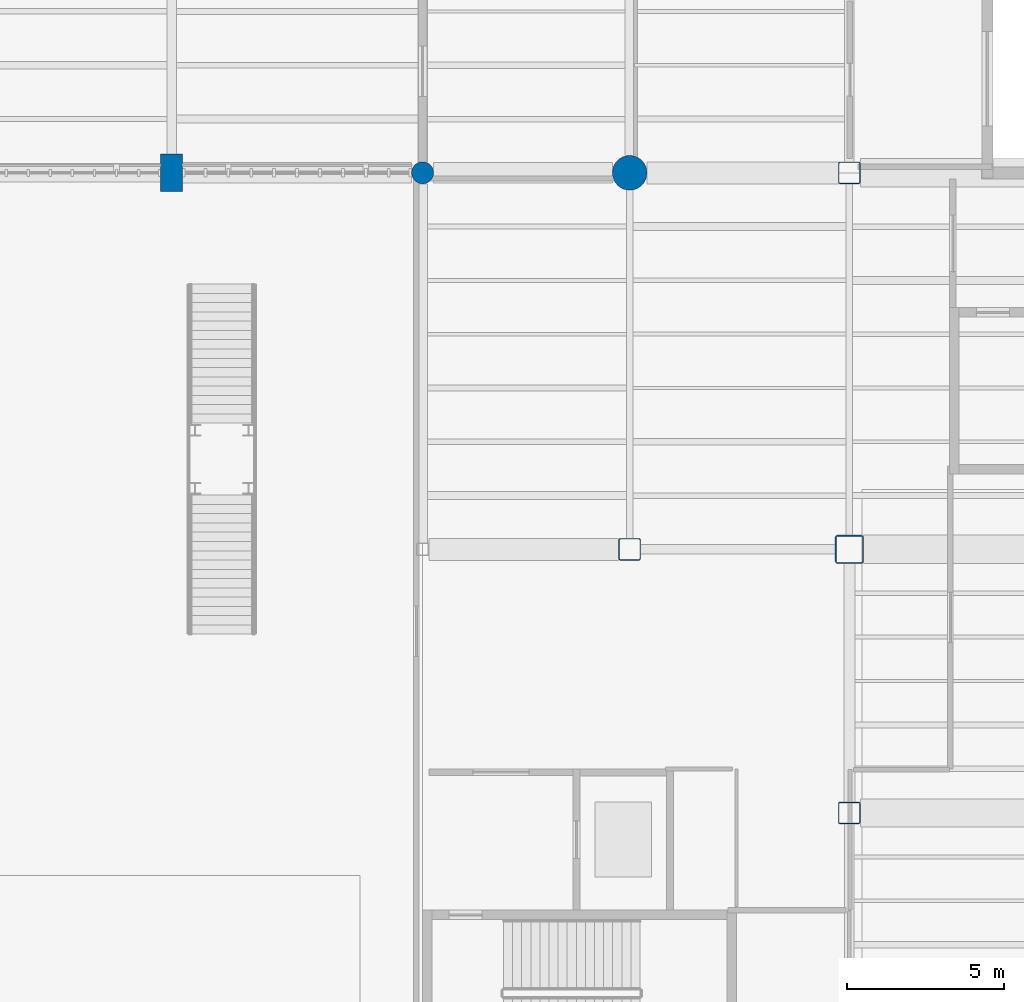
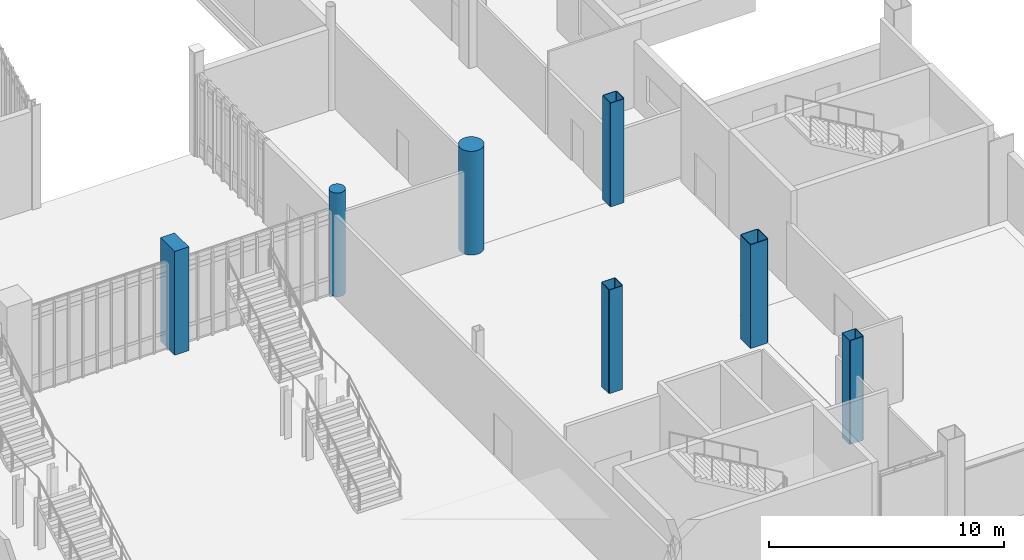
# One storey, part 7 of 111: 7 columns.
"""IFC4 building model written with IfcOpenShell, lengths in metres."""

import ifcopenshell
import ifcopenshell.guid

model = None  # the IFC model being written
_history = None  # IfcOwnerHistory: only IFC2X3 demands one
_inside = {}  # id of a spatial element -> (the spatial element, [elements in it])
_under = {}  # id of a project, library or spatial element -> (it, [spatial elements below it])
_declared = {}  # id of a project -> (the project, [libraries it declares])
_typed = {}  # id of a type object -> (the type object, [elements of that type])
_made_of = {}  # id of a material, layer set ... -> (it, [elements and type objects made of it])


def new_model(schema):
    """Start an empty IFC model of exactly this schema.

    Asked for "IFC4X3", IfcOpenShell would pick the latest addendum, in which some entities
    have other attributes; the version numbers below select the first issue.
    IFC2X3 requires an IfcOwnerHistory on every rooted entity: one is made here for all.
    """
    global model, _history
    if schema == "IFC4X3":
        model = ifcopenshell.file(schema_version=(4, 3, 0, 0))
    else:
        model = ifcopenshell.file(schema=schema)
    _inside.clear()
    _under.clear()
    _declared.clear()
    _typed.clear()
    _made_of.clear()
    _history = None
    if model.schema == "IFC2X3":
        org = make("IfcOrganization", Name="unknown")
        user = make(
            "IfcPersonAndOrganization",
            ThePerson=make("IfcPerson", FamilyName="unknown"),
            TheOrganization=org,
        )
        app = make(
            "IfcApplication",
            ApplicationDeveloper=org,
            Version="unknown",
            ApplicationFullName="unknown",
            ApplicationIdentifier="unknown",
        )
        _history = make(
            "IfcOwnerHistory",
            OwningUser=user,
            OwningApplication=app,
            ChangeAction="ADDED",
            CreationDate=0,
        )
    return model


def make(cls, **values):
    """One entity of the class cls with the attributes given. An attribute that is None is left unset."""
    return model.create_entity(
        cls, **{name: value for name, value in values.items() if value is not None}
    )


def rooted(cls, **values):
    """An entity with a GlobalId (a new one), such as an element, a storey or a relation."""
    return make(cls, GlobalId=ifcopenshell.guid.new(), OwnerHistory=_history, **values)


def si_unit(unit_type, name, prefix=None):
    """IfcSIUnit, for example si_unit("LENGTHUNIT", "METRE", prefix="MILLI")."""
    return make("IfcSIUnit", UnitType=unit_type, Prefix=prefix, Name=name)


def assignment(units):
    """IfcUnitAssignment: the units of a project."""
    return None if units is None else make("IfcUnitAssignment", Units=units)


def point(xyz):
    """IfcCartesianPoint."""
    return None if xyz is None else make("IfcCartesianPoint", Coordinates=xyz)


def direction(xyz):
    """IfcDirection."""
    return None if xyz is None else make("IfcDirection", DirectionRatios=xyz)


def frame(location, z_axis=None, x_axis=None):
    """IfcAxis2Placement3D, a coordinate frame: its origin and axes. An axis left out is left unset."""
    return make(
        "IfcAxis2Placement3D",
        Location=point(location),
        Axis=direction(z_axis),
        RefDirection=direction(x_axis),
    )


def frame_2d(location, x_axis=None):
    """IfcAxis2Placement2D, a coordinate frame in the plane: its origin and x axis."""
    return make(
        "IfcAxis2Placement2D", Location=point(location), RefDirection=direction(x_axis)
    )


def origin():
    """The frame at (0, 0, 0) with its axes left unset."""
    return frame((0.0, 0.0, 0.0))


def origin_2d():
    """The frame at (0, 0) in the plane with its x axis left unset."""
    return frame_2d((0.0, 0.0))


def place(relative_to, where):
    """IfcLocalPlacement: puts the frame where relative to a parent placement (None: the world)."""
    return make(
        "IfcLocalPlacement", PlacementRelTo=relative_to, RelativePlacement=where
    )


def context(
    kind, dimensions, precision=None, world=None, true_north=None, identifier=None
):
    """IfcGeometricRepresentationContext, for example the 3D "Model" context."""
    return make(
        "IfcGeometricRepresentationContext",
        ContextIdentifier=identifier,
        ContextType=kind,
        CoordinateSpaceDimension=dimensions,
        Precision=precision,
        WorldCoordinateSystem=world,
        TrueNorth=true_north,
    )


def subcontext(parent, identifier, kind, view, scale=None):
    """IfcGeometricRepresentationSubContext, for example "Body" below "Model"."""
    return make(
        "IfcGeometricRepresentationSubContext",
        ContextIdentifier=identifier,
        ContextType=kind,
        ParentContext=parent,
        TargetScale=scale,
        TargetView=view,
    )


def project(units=None, contexts=None):
    """IfcProject with its units and contexts."""
    return rooted(
        "IfcProject",
        Name="project",
        RepresentationContexts=contexts,
        UnitsInContext=assignment(units),
    )


def spatial(cls, under=None, at=None, **own):
    """A site, building, storey or space (cls), placed at a placement, below another one or the project."""
    s = rooted(cls, ObjectPlacement=at, **own)
    if under is not None:
        _under.setdefault(under.id(), (under, []))[1].append(s)
    return s


def profile(cls, at=None, kind="AREA", **sizes):
    """A parametric profile (cls). Its sizes go by their IFC names, for example OverallWidth=200.0."""
    return make(cls, ProfileType=kind, Position=at, **sizes)


def rectangle(**sizes):
    """IfcRectangleProfileDef."""
    return profile("IfcRectangleProfileDef", **sizes)


def hollow_rectangle(**sizes):
    """IfcRectangleHollowProfileDef."""
    return profile("IfcRectangleHollowProfileDef", **sizes)


def circle(**sizes):
    """IfcCircleProfileDef."""
    return profile("IfcCircleProfileDef", **sizes)


def extrude(swept, where, along, depth):
    """IfcExtrudedAreaSolid: the profile swept, set in the frame where, extruded along a direction by depth."""
    return make(
        "IfcExtrudedAreaSolid",
        SweptArea=swept,
        Position=where,
        ExtrudedDirection=direction(along),
        Depth=depth,
    )


def shape(context_of_items, identifier, shape_type, items):
    """IfcShapeRepresentation: the items that make up one representation, for example the "Body"."""
    return make(
        "IfcShapeRepresentation",
        ContextOfItems=context_of_items,
        RepresentationIdentifier=identifier,
        RepresentationType=shape_type,
        Items=items,
    )


def material(Name=None, Category=None):
    """IfcMaterial."""
    return make("IfcMaterial", Name=Name, Category=Category)


def material_profile(
    of_material, cross_section, Name=None, Category=None, Priority=None
):
    """IfcMaterialProfile: a cross section and its material."""
    return make(
        "IfcMaterialProfile",
        Name=Name,
        Material=of_material,
        Profile=cross_section,
        Priority=Priority,
        Category=Category,
    )


def profile_set(profiles, Name=None, composite=None):
    """IfcMaterialProfileSet."""
    return make(
        "IfcMaterialProfileSet",
        Name=Name,
        MaterialProfiles=profiles,
        CompositeProfile=composite,
    )


def made_of(thing, what):
    """Note that an element or type object is made of a material, layer set ...; save() writes the relation."""
    if what is not None:
        _made_of.setdefault(what.id(), (what, []))[1].append(thing)
    return thing


def type_object(cls, material=None, **own):
    """A type object (cls), such as IfcWallType, which elements share."""
    return made_of(rooted(cls, **own), material)


def element(
    cls,
    number,
    at=None,
    inside=None,
    cuts=None,
    type_object=None,
    material=None,
    context=None,
    identifier="Body",
    shape_type=None,
    held_by="IfcProductDefinitionShape",
    body=None,
    shapes=None,
    **own,
):
    """One element of the class cls, such as IfcWall. Its Tag is "e" and its number.

    at: its placement. inside: the storey or other place that contains it. cuts: it is an
    opening in that element (IfcRelVoidsElement). A single representation is given by context,
    identifier, shape_type and body (its items); several are given by shapes. held_by: the class
    of the entity that holds the representations. save() writes the other relations.
    """
    e = rooted(cls, Tag="e%d" % number, ObjectPlacement=at, **own)
    if body is not None:
        shapes = [shape(context, identifier, shape_type, body)]
    if shapes is not None:
        e.Representation = make(held_by, Representations=shapes)
    if inside is not None:
        _inside.setdefault(inside.id(), (inside, []))[1].append(e)
    if cuts is not None:
        rooted(
            "IfcRelVoidsElement", RelatingBuildingElement=cuts, RelatedOpeningElement=e
        )
    if type_object is not None:
        _typed.setdefault(type_object.id(), (type_object, []))[1].append(e)
    return made_of(e, material)


def aggregate(whole, parts):
    """IfcRelAggregates: a whole, such as a stair, and the parts it consists of."""
    return rooted("IfcRelAggregates", RelatingObject=whole, RelatedObjects=parts)


def save(model, path):
    """Write the relations noted so far, then the file.

    IfcRelAggregates (storeys below a building ...), IfcRelContainedInSpatialStructure (elements
    in a storey), IfcRelDefinesByType, IfcRelAssociatesMaterial and IfcRelDeclares: one each for
    every whole, place, type object, material and project.
    """
    for whole, parts in _under.values():
        aggregate(whole, parts)
    for where, things in _inside.values():
        rooted(
            "IfcRelContainedInSpatialStructure",
            RelatedElements=things,
            RelatingStructure=where,
        )
    for kind, things in _typed.values():
        rooted("IfcRelDefinesByType", RelatedObjects=things, RelatingType=kind)
    for what, things in _made_of.values():
        rooted("IfcRelAssociatesMaterial", RelatedObjects=things, RelatingMaterial=what)
    for by, libraries in _declared.values():
        rooted("IfcRelDeclares", RelatingContext=by, RelatedDefinitions=libraries)
    model.write(path)


model = new_model("IFC4")

# Units and contexts
model_context = context("Model", 3, precision=1e-05, world=origin(), true_north=direction((0.0, 1.0)))
body_context = subcontext(model_context, "Body", "Model", "MODEL_VIEW")
ifc_project = project(units=[si_unit("LENGTHUNIT", "METRE"), si_unit("AREAUNIT", "SQUARE_METRE"), si_unit("VOLUMEUNIT", "CUBIC_METRE"), si_unit("PLANEANGLEUNIT", "RADIAN"), si_unit("MASSUNIT", "GRAM", prefix="KILO")], contexts=[model_context])

# Site, building, storey
site_placement = place(None, origin())
site = spatial("IfcSite", under=ifc_project, at=site_placement, CompositionType="ELEMENT")
building_placement = place(site_placement, origin())
building = spatial("IfcBuilding", under=site, at=building_placement, Name="Larkvane Passage Sports Hall", CompositionType="ELEMENT")
storey_placement = place(building_placement, origin())
storey = spatial("IfcBuildingStorey", under=building, at=storey_placement, Name="L00", CompositionType="ELEMENT", Elevation=0.0)

# Columns
ifc_material_1 = material(Name="Concrete C50/60", Category="concrete")
ifc_material_profile_1 = material_profile(ifc_material_1, circle(Radius=0.550048828125, at=origin_2d()), Name="RC-CIR-1100")
ifc_profile_set_1 = profile_set([ifc_material_profile_1], Name="Concrete C50/60")
column_type_1 = type_object("IfcColumnType", Name="COL-CIR-1100", PredefinedType="COLUMN", material=ifc_profile_set_1)
column_1_placement = place(storey_placement, frame((124.60009765625, 51.60009765625, 0.0), z_axis=(0.0, 0.0, 1.0), x_axis=(1.0, 0.0, 0.0)))
element("IfcColumn", 1, at=column_1_placement, inside=storey, type_object=column_type_1, Name="Column 17/G L00", PredefinedType="COLUMN", context=body_context, shape_type="SweptSolid", body=[
    extrude(circle(Radius=0.550048828125, at=origin_2d()), origin(), (0.0, 0.0, 1.0), 5.39990234375),
])
ifc_material_2 = material(Name="Concrete C40/50", Category="concrete")
ifc_material_profile_2 = material_profile(ifc_material_2, circle(Radius=0.35009765625, at=origin_2d()), Name="RC-CIR-700")
ifc_profile_set_2 = profile_set([ifc_material_profile_2], Name="Concrete C40/50")
column_type_2 = type_object("IfcColumnType", Name="COL-CIR-700", PredefinedType="COLUMN", material=ifc_profile_set_2)
column_2_placement = place(storey_placement, frame((118.0, 51.60009765625, 0.0), z_axis=(0.0, 0.0, 1.0), x_axis=(1.0, 0.0, 0.0)))
element("IfcColumn", 2, at=column_2_placement, inside=storey, type_object=column_type_2, Name="Column 16/G L00", PredefinedType="COLUMN", context=body_context, shape_type="SweptSolid", body=[
    extrude(circle(Radius=0.35009765625, at=origin_2d()), origin(), (0.0, 0.0, 1.0), 5.39990234375),
])
ifc_material_profile_3 = material_profile(ifc_material_1, rectangle(XDim=0.699951171875, YDim=1.199951171875, at=origin_2d()), Name="RC-COL-700x1200")
ifc_profile_set_3 = profile_set([ifc_material_profile_3], Name="Concrete C50/60")
column_type_3 = type_object("IfcColumnType", Name="COL-RC-700x1200", PredefinedType="COLUMN", material=ifc_profile_set_3)
column_3_placement = place(storey_placement, frame((110.0, 51.60009765625, 0.0), z_axis=(0.0, 0.0, 1.0), x_axis=(1.0, 0.0, 0.0)))
element("IfcColumn", 3, at=column_3_placement, inside=storey, type_object=column_type_3, Name="Column 15/G L00", PredefinedType="COLUMN", context=body_context, shape_type="SweptSolid", body=[
    extrude(rectangle(XDim=0.699951171875, YDim=1.199951171875, at=origin_2d()), origin(), (0.0, 0.0, 1.0), 5.39990234375),
])
ifc_material_3 = material(Name="Steel S460N", Category="steel")
ifc_material_profile_4 = material_profile(ifc_material_3, hollow_rectangle(XDim=0.699951171875, YDim=0.699951171875, WallThickness=0.028076171875, InnerFilletRadius=0.028076171875, OuterFilletRadius=0.055908203125, at=origin_2d()), Name="BOX-700x700x28")
ifc_profile_set_4 = profile_set([ifc_material_profile_4], Name="Steel S460N")
column_type_4 = type_object("IfcColumnType", Name="COL-STL-BOX700", PredefinedType="COLUMN", material=ifc_profile_set_4)
for number, where, z_axis, x_axis, name in (
    (4, (124.60009765625, 39.60009765625, 0.0), (0.0, 0.0, 1.0), (1.0, 0.0, 0.0), "Column 17/F L00"),
    (5, (131.60009765625, 31.199951171875, 0.0), (0.0, 0.0, 1.0), (1.0, 0.0, 0.0), "Column 18/E L00"),
    (6, (131.60009765625, 51.60009765625, 0.0), (0.0, 0.0, 1.0), (1.0, 0.0, 0.0), "Column 18/G L00"),
):
    element("IfcColumn", number, at=place(storey_placement, frame(where, z_axis=z_axis, x_axis=x_axis)), inside=storey, type_object=column_type_4, Name=name, PredefinedType="COLUMN", context=body_context, shape_type="SweptSolid", body=[
        extrude(hollow_rectangle(XDim=0.699951171875, YDim=0.699951171875, WallThickness=0.028076171875, InnerFilletRadius=0.028076171875, OuterFilletRadius=0.055908203125, at=origin_2d()), origin(), (0.0, 0.0, 1.0), 5.39990234375),
    ])
ifc_material_profile_5 = material_profile(ifc_material_3, hollow_rectangle(XDim=0.89990234375, YDim=0.89990234375, WallThickness=0.035888671875, InnerFilletRadius=0.035888671875, OuterFilletRadius=0.072021484375, at=origin_2d()), Name="BOX-900x900x36")
ifc_profile_set_5 = profile_set([ifc_material_profile_5], Name="Steel S460N")
column_type_5 = type_object("IfcColumnType", Name="COL-STL-BOX900", PredefinedType="COLUMN", material=ifc_profile_set_5)
column_4_placement = place(storey_placement, frame((131.60009765625, 39.60009765625, 0.0), z_axis=(0.0, 0.0, 1.0), x_axis=(1.0, 0.0, 0.0)))
element("IfcColumn", 7, at=column_4_placement, inside=storey, type_object=column_type_5, Name="Column 18/F L00", PredefinedType="COLUMN", context=body_context, shape_type="SweptSolid", body=[
    extrude(hollow_rectangle(XDim=0.89990234375, YDim=0.89990234375, WallThickness=0.035888671875, InnerFilletRadius=0.035888671875, OuterFilletRadius=0.072021484375, at=origin_2d()), origin(), (0.0, 0.0, 1.0), 5.39990234375),
])

save(model, "model.ifc")
